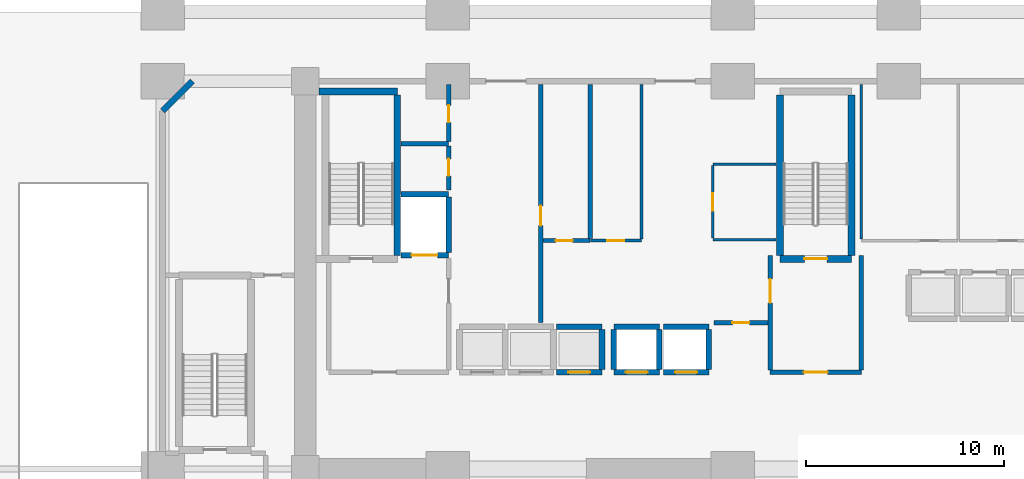
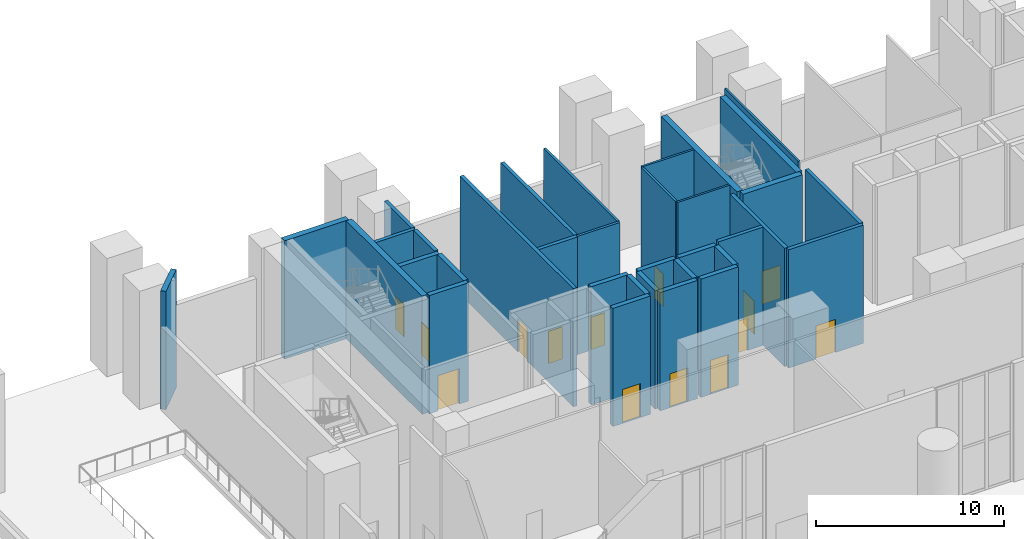
# One storey, part 11 of 17: 35 walls, 14 doors, 14 openings.
"""IFC4 building model written with IfcOpenShell, lengths in metres."""

from ifc_helpers import new_model, si_unit, direction, frame, frame_2d, origin, place, context, subcontext, project, spatial, rectangle, extrude, material, layer, layer_set, type_object, element, fill, save


model = new_model("IFC4")

# Units and contexts
model_context = context("Model", 3, precision=1e-05, world=origin(), true_north=direction((0.0, 1.0)))
body_context = subcontext(model_context, "Body", "Model", "MODEL_VIEW")
ifc_project = project(units=[si_unit("LENGTHUNIT", "METRE"), si_unit("AREAUNIT", "SQUARE_METRE"), si_unit("VOLUMEUNIT", "CUBIC_METRE"), si_unit("PLANEANGLEUNIT", "RADIAN"), si_unit("MASSUNIT", "GRAM", prefix="KILO")], contexts=[model_context])

# Site, building, storey
site_placement = place(None, origin())
site = spatial("IfcSite", under=ifc_project, at=site_placement, CompositionType="ELEMENT")
building_placement = place(site_placement, origin())
building = spatial("IfcBuilding", under=site, at=building_placement, Name="Kaelvorn Grand Hotel", CompositionType="ELEMENT")
storey_placement = place(building_placement, origin())
storey = spatial("IfcBuildingStorey", under=building, at=storey_placement, Name="L00", CompositionType="ELEMENT", Elevation=0.0)

# Walls
ifc_material_1 = material(Name="Concrete C40/50", Category="concrete")
ifc_layer_1 = layer(ifc_material_1, 0.300048828125)
ifc_layer_set_1 = layer_set([ifc_layer_1], Name="Concrete C40/50")
wall_type_1 = type_object("IfcWallType", Name="WL-EXT-300-C40", PredefinedType="SOLIDWALL", material=ifc_layer_set_1)
wall_1_placement = place(storey_placement, frame((10.5, 49.0, 0.0), z_axis=(0.0, 0.0, 1.0), x_axis=(-0.707106781187, -0.707106781187, 0.0)))
element("IfcWall", 1, at=wall_1_placement, inside=storey, type_object=wall_type_1, Name="L00 Ground Arrival Hall Exterior Wall 06", PredefinedType="SOLIDWALL", context=body_context, shape_type="SweptSolid", body=[
    extrude(rectangle(XDim=2.121337890625, YDim=0.300048828125, at=frame_2d((1.060546875, 0.0))), origin(), (0.0, 0.0, 1.0), 7.679931640625),
])
ifc_material_2 = material(Name="Moisture-Resistant Tile & Stud Board")
ifc_layer_2 = layer(ifc_material_2, 0.125)
ifc_layer_set_2 = layer_set([ifc_layer_2], Name="Moisture-Resistant Tile & Stud Board")
wall_type_2 = type_object("IfcWallType", Name="WL-PART-125-WET", PredefinedType="PARTITIONING", material=ifc_layer_set_2)
for number, where, z_axis, x_axis, name in (
    (2, (36.800048828125, 41.0, 0.0), (0.0, 0.0, 1.0), (1.0, 0.0, 0.0), "L00 Accessible WC S Partition"),
    (3, (36.800048828125, 44.800048828125, 0.0), (0.0, 0.0, 1.0), (1.0, 0.0, 0.0), "L00 Accessible WC N Partition"),
):
    element("IfcWall", number, at=place(storey_placement, frame(where, z_axis=z_axis, x_axis=x_axis)), inside=storey, type_object=wall_type_2, Name=name, PredefinedType="PARTITIONING", context=body_context, shape_type="SweptSolid", body=[
        extrude(rectangle(XDim=3.199951171875, YDim=0.125, at=frame_2d((1.60009765625, 0.0))), origin(), (0.0, 0.0, 1.0), 7.679931640625),
    ])

# Wall, opening, door
wall_2_placement = place(storey_placement, frame((36.800048828125, 41.0673828125, 0.0), z_axis=(0.0, 0.0, 1.0), x_axis=(0.0, 1.0, 0.0)))
wall_2 = element("IfcWall", 4, at=wall_2_placement, inside=storey, type_object=wall_type_2, Name="L00 Accessible WC W Partition", PredefinedType="PARTITIONING", context=body_context, shape_type="SweptSolid", body=[
    extrude(rectangle(XDim=3.6650390625, YDim=0.125, at=frame_2d((1.83251953125, 0.0))), origin(), (0.0, 0.0, 1.0), 7.679931640625),
])
opening_1_placement = place(wall_2_placement, frame((1.382568359375, 0.0, 0.0)))
opening_1 = element("IfcOpeningElement", 5, at=opening_1_placement, cuts=wall_2, Name="Opening DI4", PredefinedType="OPENING", context=body_context, shape_type="SweptSolid", body=[
    extrude(rectangle(XDim=0.89990234375, YDim=2.10009765625, at=frame_2d((0.449951171875, 1.050048828125))), frame((0.0, 0.072509765625, 0.0), z_axis=(0.0, -1.0, 0.0), x_axis=(1.0, 0.0, 0.0)), (0.0, 0.0, 1.0), 0.14501953125),
])
ifc_material_3 = material(Name="Timber Veneer Leaf", Category="wood")
door_type_1 = type_object("IfcDoorType", Name="DR-INT-BATH-900x2100", OperationType="NOTDEFINED", PredefinedType="DOOR", material=ifc_material_3)
door_1_placement = place(opening_1_placement, origin())
door_1 = element("IfcDoor", 6, at=door_1_placement, inside=storey, type_object=door_type_1, Name="L00 Accessible WC Door", OperationType="SINGLE_SWING_RIGHT", OverallHeight=2.10009765625, OverallWidth=0.89990234375, PredefinedType="DOOR", context=body_context, shape_type="SweptSolid", body=[
    extrude(rectangle(XDim=0.89990234375, YDim=2.10009765625, at=frame_2d((0.449951171875, 1.050048828125))), frame((0.0, 0.02490234375, 0.0), z_axis=(0.0, -1.0, 0.0), x_axis=(1.0, 0.0, 0.0)), (0.0, 0.0, 1.0), 0.050048828125),
])
fill(opening_1, door_1)

# Wall
wall_3_placement = place(storey_placement, frame((44.300048828125, 41.017578125, 0.0), z_axis=(0.0, 0.0, 1.0), x_axis=(0.0, 1.0, 0.0)))
element("IfcWall", 7, at=wall_3_placement, inside=storey, type_object=wall_type_2, Name="L00 Male Toilets W Partition", PredefinedType="PARTITIONING", context=body_context, shape_type="SweptSolid", body=[
    extrude(rectangle(XDim=7.827392578125, YDim=0.125, at=frame_2d((3.91357421875, 0.0))), origin(), (0.0, 0.0, 1.0), 7.679931640625),
])

# Wall, opening, door
ifc_material_4 = material(Name="Acoustic Gypsum & Stud Partition")
ifc_layer_3 = layer(ifc_material_4, 0.14990234375)
ifc_layer_set_3 = layer_set([ifc_layer_3], Name="Acoustic Gypsum & Stud Partition")
wall_type_3 = type_object("IfcWallType", Name="WL-PART-150-EI60", PredefinedType="PARTITIONING", material=ifc_layer_set_3)
wall_4_placement = place(storey_placement, frame((30.610107421875, 40.949951171875, 0.0), z_axis=(0.0, 0.0, 1.0), x_axis=(1.0, 0.0, 0.0)))
wall_4 = element("IfcWall", 8, at=wall_4_placement, inside=storey, type_object=wall_type_3, Name="L00 Central BOH Supply Store S Partition", PredefinedType="PARTITIONING", context=body_context, shape_type="SweptSolid", body=[
    extrude(rectangle(XDim=2.58984375, YDim=0.14990234375, at=frame_2d((1.294921875, 0.0))), origin(), (0.0, 0.0, 1.0), 7.679931640625),
])
opening_2_placement = place(wall_4_placement, frame((0.864990234375, 0.0, 0.0)))
opening_2 = element("IfcOpeningElement", 9, at=opening_2_placement, cuts=wall_4, Name="Opening DI7", PredefinedType="OPENING", context=body_context, shape_type="SweptSolid", body=[
    extrude(rectangle(XDim=0.85009765625, YDim=2.10009765625, at=frame_2d((0.425048828125, 1.050048828125))), frame((0.0, 0.0849609375, 0.0), z_axis=(0.0, -1.0, 0.0), x_axis=(1.0, 0.0, 0.0)), (0.0, 0.0, 1.0), 0.169921875),
])
ifc_material_5 = material(Name="Powder-Coated Steel Leaf", Category="steel")
door_type_2 = type_object("IfcDoorType", Name="DR-INT-RISER-850x2100", OperationType="NOTDEFINED", PredefinedType="DOOR", material=ifc_material_5)
door_2_placement = place(opening_2_placement, origin())
door_2 = element("IfcDoor", 10, at=door_2_placement, inside=storey, type_object=door_type_2, Name="L00 Central BOH Supply Store Door", OperationType="SINGLE_SWING_LEFT", OverallHeight=2.10009765625, OverallWidth=0.85009765625, PredefinedType="DOOR", context=body_context, shape_type="SweptSolid", body=[
    extrude(rectangle(XDim=0.85009765625, YDim=2.10009765625, at=frame_2d((0.425048828125, 1.050048828125))), frame((0.0, 0.02490234375, 0.0), z_axis=(0.0, -1.0, 0.0), x_axis=(1.0, 0.0, 0.0)), (0.0, 0.0, 1.0), 0.050048828125),
])
fill(opening_2, door_2)

# Wall
wall_5_placement = place(storey_placement, frame((33.199951171875, 41.030029296875, 0.0), z_axis=(0.0, 0.0, 1.0), x_axis=(0.0, 1.0, 0.0)))
element("IfcWall", 11, at=wall_5_placement, inside=storey, type_object=wall_type_3, Name="L00 Central BOH Supply Store E Partition", PredefinedType="PARTITIONING", context=body_context, shape_type="SweptSolid", body=[
    extrude(rectangle(XDim=7.81494140625, YDim=0.14990234375, at=frame_2d((3.907470703125, 0.0))), origin(), (0.0, 0.0, 1.0), 7.679931640625),
])

# Wall, opening, door
ifc_layer_4 = layer(ifc_material_1, 0.219970703125)
ifc_layer_set_4 = layer_set([ifc_layer_4], Name="Concrete C40/50")
wall_type_4 = type_object("IfcWallType", Name="WL-PART-220-EI120", PredefinedType="PARTITIONING", material=ifc_layer_set_4)
wall_6_placement = place(storey_placement, frame((39.699951171875, 34.300048828125, 0.0), z_axis=(0.0, 0.0, 1.0), x_axis=(1.0, 0.0, 0.0)))
wall_6 = element("IfcWall", 12, at=wall_6_placement, inside=storey, type_object=wall_type_4, Name="L00 Central Stair Escape Vestibule S Partition", PredefinedType="PARTITIONING", context=body_context, shape_type="SweptSolid", body=[
    extrude(rectangle(XDim=4.60009765625, YDim=0.219970703125, at=frame_2d((2.300048828125, 0.0))), origin(), (0.0, 0.0, 1.0), 7.679931640625),
])
opening_3_placement = place(wall_6_placement, frame((1.699951171875, 0.0, 0.0)))
opening_3 = element("IfcOpeningElement", 13, at=opening_3_placement, cuts=wall_6, Name="Opening DI2", PredefinedType="OPENING", context=body_context, shape_type="SweptSolid", body=[
    extrude(rectangle(XDim=1.199951171875, YDim=2.14990234375, at=frame_2d((0.60009765625, 1.074951171875))), frame((0.0, 0.1201171875, 0.0), z_axis=(0.0, -1.0, 0.0), x_axis=(1.0, 0.0, 0.0)), (0.0, 0.0, 1.0), 0.239990234375),
])
ifc_material_6 = material(Name="Timber Veneer Fire Leaf", Category="wood")
door_type_3 = type_object("IfcDoorType", Name="DR-INT-FFLOB-1200x2150", OperationType="NOTDEFINED", PredefinedType="DOOR", material=ifc_material_6)
door_3_placement = place(opening_3_placement, origin())
door_3 = element("IfcDoor", 14, at=door_3_placement, inside=storey, type_object=door_type_3, Name="L00 Central Stair Escape Vestibule Door", OperationType="SINGLE_SWING_LEFT", OverallHeight=2.14990234375, OverallWidth=1.199951171875, PredefinedType="DOOR", context=body_context, shape_type="SweptSolid", body=[
    extrude(rectangle(XDim=1.199951171875, YDim=2.14990234375, at=frame_2d((0.60009765625, 1.074951171875))), frame((0.0, 0.02490234375, 0.0), z_axis=(0.0, -1.0, 0.0), x_axis=(1.0, 0.0, 0.0)), (0.0, 0.0, 1.0), 0.050048828125),
])
fill(opening_3, door_3)

wall_7_placement = place(storey_placement, frame((39.699951171875, 34.4150390625, 0.0), z_axis=(0.0, 0.0, 1.0), x_axis=(0.0, 1.0, 0.0)))
wall_7 = element("IfcWall", 15, at=wall_7_placement, inside=storey, type_object=wall_type_4, Name="L00 Central Stair Escape Vestibule W Partition", PredefinedType="PARTITIONING", context=body_context, shape_type="SweptSolid", body=[
    extrude(rectangle(XDim=5.784912109375, YDim=0.219970703125, at=frame_2d((2.892578125, 0.0))), origin(), (0.0, 0.0, 1.0), 7.679931640625),
])
opening_4_placement = place(wall_7_placement, frame((3.385009765625, 0.0, 0.0)))
opening_4 = element("IfcOpeningElement", 16, at=opening_4_placement, cuts=wall_7, Name="Opening DI2", PredefinedType="OPENING", context=body_context, shape_type="SweptSolid", body=[
    extrude(rectangle(XDim=1.199951171875, YDim=2.14990234375, at=frame_2d((0.60009765625, 1.074951171875))), frame((0.0, 0.1201171875, 0.0), z_axis=(0.0, -1.0, 0.0), x_axis=(1.0, 0.0, 0.0)), (0.0, 0.0, 1.0), 0.239990234375),
])
door_4_placement = place(opening_4_placement, origin())
door_4 = element("IfcDoor", 17, at=door_4_placement, inside=storey, type_object=door_type_3, Name="L00 Central Stair ST2 Protected Exit Passage Door", OperationType="SINGLE_SWING_LEFT", OverallHeight=2.14990234375, OverallWidth=1.199951171875, PredefinedType="DOOR", context=body_context, shape_type="SweptSolid", body=[
    extrude(rectangle(XDim=1.199951171875, YDim=2.14990234375, at=frame_2d((0.60009765625, 1.074951171875))), frame((0.0, 0.02490234375, 0.0), z_axis=(0.0, -1.0, 0.0), x_axis=(1.0, 0.0, 0.0)), (0.0, 0.0, 1.0), 0.050048828125),
])
fill(opening_4, door_4)

# Walls
wall_8_placement = place(storey_placement, frame((44.300048828125, 34.4150390625, 0.0), z_axis=(0.0, 0.0, 1.0), x_axis=(0.0, 1.0, 0.0)))
element("IfcWall", 18, at=wall_8_placement, inside=storey, type_object=wall_type_4, Name="L00 Central Stair Escape Vestibule E Partition", PredefinedType="PARTITIONING", context=body_context, shape_type="SweptSolid", body=[
    extrude(rectangle(XDim=5.784912109375, YDim=0.219970703125, at=frame_2d((2.892578125, 0.0))), origin(), (0.0, 0.0, 1.0), 7.679931640625),
])
wall_9_placement = place(storey_placement, frame((21.034912109375, 45.85009765625, 0.0), z_axis=(0.0, 0.0, 1.0), x_axis=(1.0, 0.0, 0.0)))
element("IfcWall", 19, at=wall_9_placement, inside=storey, type_object=wall_type_4, Name="L00 Wet Fire & Plumbing Riser Shaft N Partition", PredefinedType="PARTITIONING", context=body_context, shape_type="SweptSolid", body=[
    extrude(rectangle(XDim=2.4150390625, YDim=0.219970703125, at=frame_2d((1.20751953125, 0.0))), origin(), (0.0, 0.0, 1.0), 7.679931640625),
])

# Wall, opening, door
wall_10_placement = place(storey_placement, frame((23.449951171875, 43.5, 0.0), z_axis=(0.0, 0.0, 1.0), x_axis=(0.0, 1.0, 0.0)))
wall_10 = element("IfcWall", 20, at=wall_10_placement, inside=storey, type_object=wall_type_4, Name="L00 Wet Fire & Plumbing Riser Shaft E Partition", PredefinedType="PARTITIONING", context=body_context, shape_type="SweptSolid", body=[
    extrude(rectangle(XDim=2.235107421875, YDim=0.219970703125, at=frame_2d((1.11767578125, 0.0))), origin(), (0.0, 0.0, 1.0), 7.679931640625),
])
opening_5_placement = place(wall_10_placement, frame((0.72509765625, 0.0, 0.0)))
opening_5 = element("IfcOpeningElement", 21, at=opening_5_placement, cuts=wall_10, Name="Opening DI7", PredefinedType="OPENING", context=body_context, shape_type="SweptSolid", body=[
    extrude(rectangle(XDim=0.85009765625, YDim=2.10009765625, at=frame_2d((0.425048828125, 1.050048828125))), frame((0.0, 0.1201171875, 0.0), z_axis=(0.0, -1.0, 0.0), x_axis=(1.0, 0.0, 0.0)), (0.0, 0.0, 1.0), 0.239990234375),
])
door_5_placement = place(opening_5_placement, origin())
door_5 = element("IfcDoor", 22, at=door_5_placement, inside=storey, type_object=door_type_2, Name="L00 Wet Fire & Plumbing Riser Shaft Door", OperationType="SINGLE_SWING_LEFT", OverallHeight=2.10009765625, OverallWidth=0.85009765625, PredefinedType="DOOR", context=body_context, shape_type="SweptSolid", body=[
    extrude(rectangle(XDim=0.85009765625, YDim=2.10009765625, at=frame_2d((0.425048828125, 1.050048828125))), frame((0.0, 0.02490234375, 0.0), z_axis=(0.0, -1.0, 0.0), x_axis=(1.0, 0.0, 0.0)), (0.0, 0.0, 1.0), 0.050048828125),
])
fill(opening_5, door_5)

wall_11_placement = place(storey_placement, frame((23.449951171875, 45.965087890625, 0.0), z_axis=(0.0, 0.0, 1.0), x_axis=(0.0, 1.0, 0.0)))
wall_11 = element("IfcWall", 23, at=wall_11_placement, inside=storey, type_object=wall_type_4, Name="L00 HV Electrical & Smoke Riser E Partition", PredefinedType="PARTITIONING", context=body_context, shape_type="SweptSolid", body=[
    extrude(rectangle(XDim=2.8798828125, YDim=0.219970703125, at=frame_2d((1.43994140625, 0.0))), origin(), (0.0, 0.0, 1.0), 7.679931640625),
])
opening_6_placement = place(wall_11_placement, frame((0.9599609375, 0.0, 0.0)))
opening_6 = element("IfcOpeningElement", 24, at=opening_6_placement, cuts=wall_11, Name="Opening DI7", PredefinedType="OPENING", context=body_context, shape_type="SweptSolid", body=[
    extrude(rectangle(XDim=0.85009765625, YDim=2.10009765625, at=frame_2d((0.425048828125, 1.050048828125))), frame((0.0, 0.1201171875, 0.0), z_axis=(0.0, -1.0, 0.0), x_axis=(1.0, 0.0, 0.0)), (0.0, 0.0, 1.0), 0.239990234375),
])
door_6_placement = place(opening_6_placement, origin())
door_6 = element("IfcDoor", 25, at=door_6_placement, inside=storey, type_object=door_type_2, Name="L00 HV Electrical & Smoke Riser Door", OperationType="SINGLE_SWING_RIGHT", OverallHeight=2.10009765625, OverallWidth=0.85009765625, PredefinedType="DOOR", context=body_context, shape_type="SweptSolid", body=[
    extrude(rectangle(XDim=0.85009765625, YDim=2.10009765625, at=frame_2d((0.425048828125, 1.050048828125))), frame((0.0, 0.02490234375, 0.0), z_axis=(0.0, -1.0, 0.0), x_axis=(1.0, 0.0, 0.0)), (0.0, 0.0, 1.0), 0.050048828125),
])
fill(opening_6, door_6)

wall_12_placement = place(storey_placement, frame((28.10009765625, 36.800048828125, 0.0), z_axis=(0.0, 0.0, 1.0), x_axis=(0.0, 1.0, 0.0)))
wall_12 = element("IfcWall", 26, at=wall_12_placement, inside=storey, type_object=wall_type_4, Name="L00 West Protected Exit Stair ST1 Discharge Passageway E Partition", PredefinedType="PARTITIONING", context=body_context, shape_type="SweptSolid", body=[
    extrude(rectangle(XDim=12.044921875, YDim=0.219970703125, at=frame_2d((6.0224609375, 0.0))), origin(), (0.0, 0.0, 1.0), 7.679931640625),
])
opening_7_placement = place(wall_12_placement, frame((4.89990234375, 0.0, 0.0)))
opening_7 = element("IfcOpeningElement", 27, at=opening_7_placement, cuts=wall_12, Name="Opening DI3", PredefinedType="OPENING", context=body_context, shape_type="SweptSolid", body=[
    extrude(rectangle(XDim=1.0, YDim=2.14990234375, at=frame_2d((0.5, 1.074951171875))), frame((0.0, 0.1201171875, 0.0), z_axis=(0.0, -1.0, 0.0), x_axis=(1.0, 0.0, 0.0)), (0.0, 0.0, 1.0), 0.239990234375),
])
door_type_4 = type_object("IfcDoorType", Name="DR-INT-GUEST-1000x2150", OperationType="NOTDEFINED", PredefinedType="DOOR", material=ifc_material_6)
door_7_placement = place(opening_7_placement, origin())
door_7 = element("IfcDoor", 28, at=door_7_placement, inside=storey, type_object=door_type_4, Name="L00 West Protected Exit Stair ST1 Discharge Passageway Door", OperationType="SINGLE_SWING_LEFT", OverallHeight=2.14990234375, OverallWidth=1.0, PredefinedType="DOOR", context=body_context, shape_type="SweptSolid", body=[
    extrude(rectangle(XDim=1.0, YDim=2.14990234375, at=frame_2d((0.5, 1.074951171875))), frame((0.0, 0.02490234375, 0.0), z_axis=(0.0, -1.0, 0.0), x_axis=(1.0, 0.0, 0.0)), (0.0, 0.0, 1.0), 0.050048828125),
])
fill(opening_7, door_7)

wall_13_placement = place(storey_placement, frame((28.215087890625, 40.949951171875, 0.0), z_axis=(0.0, 0.0, 1.0), x_axis=(1.0, 0.0, 0.0)))
wall_13 = element("IfcWall", 29, at=wall_13_placement, inside=storey, type_object=wall_type_4, Name="L00 Electrical Distribution Room S Partition", PredefinedType="PARTITIONING", context=body_context, shape_type="SweptSolid", body=[
    extrude(rectangle(XDim=2.385009765625, YDim=0.219970703125, at=frame_2d((1.1923828125, 0.0))), origin(), (0.0, 0.0, 1.0), 7.679931640625),
])
opening_8_placement = place(wall_13_placement, frame((0.64990234375, 0.0, 0.0)))
opening_8 = element("IfcOpeningElement", 30, at=opening_8_placement, cuts=wall_13, Name="Opening DI7", PredefinedType="OPENING", context=body_context, shape_type="SweptSolid", body=[
    extrude(rectangle(XDim=0.85009765625, YDim=2.10009765625, at=frame_2d((0.425048828125, 1.050048828125))), frame((0.0, 0.1201171875, 0.0), z_axis=(0.0, -1.0, 0.0), x_axis=(1.0, 0.0, 0.0)), (0.0, 0.0, 1.0), 0.239990234375),
])
door_8_placement = place(opening_8_placement, origin())
door_8 = element("IfcDoor", 31, at=door_8_placement, inside=storey, type_object=door_type_2, Name="L00 Electrical Distribution Room Door", OperationType="SINGLE_SWING_RIGHT", OverallHeight=2.10009765625, OverallWidth=0.85009765625, PredefinedType="DOOR", context=body_context, shape_type="SweptSolid", body=[
    extrude(rectangle(XDim=0.85009765625, YDim=2.10009765625, at=frame_2d((0.425048828125, 1.050048828125))), frame((0.0, 0.02490234375, 0.0), z_axis=(0.0, -1.0, 0.0), x_axis=(1.0, 0.0, 0.0)), (0.0, 0.0, 1.0), 0.050048828125),
])
fill(opening_8, door_8)

# Wall
wall_14_placement = place(storey_placement, frame((30.60009765625, 41.06494140625, 0.0), z_axis=(0.0, 0.0, 1.0), x_axis=(0.0, 1.0, 0.0)))
element("IfcWall", 32, at=wall_14_placement, inside=storey, type_object=wall_type_4, Name="L00 Electrical Distribution Room E Partition", PredefinedType="PARTITIONING", context=body_context, shape_type="SweptSolid", body=[
    extrude(rectangle(XDim=7.780029296875, YDim=0.219970703125, at=frame_2d((3.89013671875, 0.0))), origin(), (0.0, 0.0, 1.0), 7.679931640625),
])

# Wall, opening, door
wall_15_placement = place(storey_placement, frame((36.85009765625, 36.800048828125, 0.0), z_axis=(0.0, 0.0, 1.0), x_axis=(1.0, 0.0, 0.0)))
wall_15 = element("IfcWall", 33, at=wall_15_placement, inside=storey, type_object=wall_type_4, Name="L00 Central Protected Exit Passageway South Partition", PredefinedType="PARTITIONING", context=body_context, shape_type="SweptSolid", body=[
    extrude(rectangle(XDim=2.73486328125, YDim=0.219970703125, at=frame_2d((1.367431640625, 0.0))), origin(), (0.0, 0.0, 1.0), 7.679931640625),
])
opening_9_placement = place(wall_15_placement, frame((0.9423828125, 0.0, 0.0)))
opening_9 = element("IfcOpeningElement", 34, at=opening_9_placement, cuts=wall_15, Name="Opening DI7", PredefinedType="OPENING", context=body_context, shape_type="SweptSolid", body=[
    extrude(rectangle(XDim=0.85009765625, YDim=2.10009765625, at=frame_2d((0.425048828125, 1.050048828125))), frame((0.0, 0.1201171875, 0.0), z_axis=(0.0, -1.0, 0.0), x_axis=(1.0, 0.0, 0.0)), (0.0, 0.0, 1.0), 0.239990234375),
])
door_9_placement = place(opening_9_placement, origin())
door_9 = element("IfcDoor", 35, at=door_9_placement, inside=storey, type_object=door_type_2, Name="L00 Central Protected Exit Passageway Service Link Door", OperationType="SINGLE_SWING_LEFT", OverallHeight=2.10009765625, OverallWidth=0.85009765625, PredefinedType="DOOR", context=body_context, shape_type="SweptSolid", body=[
    extrude(rectangle(XDim=0.85009765625, YDim=2.10009765625, at=frame_2d((0.425048828125, 1.050048828125))), frame((0.0, 0.02490234375, 0.0), z_axis=(0.0, -1.0, 0.0), x_axis=(1.0, 0.0, 0.0)), (0.0, 0.0, 1.0), 0.050048828125),
])
fill(opening_9, door_9)

ifc_material_7 = material(Name="Concrete C50/60", Category="concrete")
ifc_layer_5 = layer(ifc_material_7, 0.280029296875)
ifc_layer_set_5 = layer_set([ifc_layer_5], Name="Concrete C50/60")
wall_type_5 = type_object("IfcWallType", Name="WL-SHAFT-280-C50", PredefinedType="SHEAR", material=ifc_layer_set_5)
wall_16_placement = place(storey_placement, frame((28.89990234375, 34.300048828125, 0.0), z_axis=(0.0, 0.0, 1.0), x_axis=(1.0, 0.0, 0.0)))
wall_16 = element("IfcWall", 36, at=wall_16_placement, inside=storey, type_object=wall_type_5, Name="L00 Lift PL-L3 Shaft South Wall", PredefinedType="SHEAR", context=body_context, shape_type="SweptSolid", body=[
    extrude(rectangle(XDim=2.300048828125, YDim=0.280029296875, at=frame_2d((1.14990234375, 0.0))), origin(), (0.0, 0.0, 1.0), 7.679931640625),
])
opening_10_placement = place(wall_16_placement, frame((0.60009765625, 0.0, 0.0)))
opening_10 = element("IfcOpeningElement", 37, at=opening_10_placement, cuts=wall_16, Name="Opening LD-PL-L3", PredefinedType="OPENING", context=body_context, shape_type="SweptSolid", body=[
    extrude(rectangle(XDim=1.10009765625, YDim=2.199951171875, at=frame_2d((0.550048828125, 1.10009765625))), frame((0.0, 0.14990234375, 0.0), z_axis=(0.0, -1.0, 0.0), x_axis=(1.0, 0.0, 0.0)), (0.0, 0.0, 1.0), 0.300048828125),
])
ifc_material_8 = material(Name="Stainless Steel", Category="steel")
door_type_5 = type_object("IfcDoorType", Name="DR-LIFT-PASS-1100x2200", OperationType="DOUBLE_DOOR_SLIDING", PredefinedType="DOOR", material=ifc_material_8)
door_10_placement = place(opening_10_placement, origin())
door_10 = element("IfcDoor", 38, at=door_10_placement, inside=storey, type_object=door_type_5, Name="L00 Lift PL-L3 Sliding Landing Door LD-PL-L3", OperationType="DOUBLE_DOOR_SLIDING", OverallHeight=2.199951171875, OverallWidth=1.10009765625, PredefinedType="DOOR", context=body_context, shape_type="SweptSolid", body=[
    extrude(rectangle(XDim=1.10009765625, YDim=2.199951171875, at=frame_2d((0.550048828125, 1.10009765625))), frame((0.0, 0.02490234375, 0.0), z_axis=(0.0, -1.0, 0.0), x_axis=(1.0, 0.0, 0.0)), (0.0, 0.0, 1.0), 0.050048828125),
])
fill(opening_10, door_10)

# Walls
wall_17_placement = place(storey_placement, frame((28.89990234375, 36.60009765625, 0.0), z_axis=(0.0, 0.0, 1.0), x_axis=(1.0, 0.0, 0.0)))
element("IfcWall", 39, at=wall_17_placement, inside=storey, type_object=wall_type_5, Name="L00 Lift PL-L3 Shaft North Wall", PredefinedType="SHEAR", context=body_context, shape_type="SweptSolid", body=[
    extrude(rectangle(XDim=2.300048828125, YDim=0.280029296875, at=frame_2d((1.14990234375, 0.0))), origin(), (0.0, 0.0, 1.0), 7.679931640625),
])
wall_18_placement = place(storey_placement, frame((31.199951171875, 34.445068359375, 0.0), z_axis=(0.0, 0.0, 1.0), x_axis=(0.0, 1.0, 0.0)))
element("IfcWall", 40, at=wall_18_placement, inside=storey, type_object=wall_type_5, Name="L00 Lift PL-L3 Shaft East Wall", PredefinedType="SHEAR", context=body_context, shape_type="SweptSolid", body=[
    extrude(rectangle(XDim=2.010009765625, YDim=0.280029296875, at=frame_2d((1.0048828125, 0.0))), origin(), (0.0, 0.0, 1.0), 7.679931640625),
])

# Wall, opening, door
wall_19_placement = place(storey_placement, frame((31.800048828125, 34.300048828125, 0.0), z_axis=(0.0, 0.0, 1.0), x_axis=(1.0, 0.0, 0.0)))
wall_19 = element("IfcWall", 41, at=wall_19_placement, inside=storey, type_object=wall_type_5, Name="L00 Lift PK-1 Shaft South Wall", PredefinedType="SHEAR", context=body_context, shape_type="SweptSolid", body=[
    extrude(rectangle(XDim=2.300048828125, YDim=0.280029296875, at=frame_2d((1.14990234375, 0.0))), origin(), (0.0, 0.0, 1.0), 7.679931640625),
])
opening_11_placement = place(wall_19_placement, frame((0.60009765625, 0.0, 0.0)))
opening_11 = element("IfcOpeningElement", 42, at=opening_11_placement, cuts=wall_19, Name="Opening LD-PK-1", PredefinedType="OPENING", context=body_context, shape_type="SweptSolid", body=[
    extrude(rectangle(XDim=1.10009765625, YDim=2.199951171875, at=frame_2d((0.550048828125, 1.10009765625))), frame((0.0, 0.14990234375, 0.0), z_axis=(0.0, -1.0, 0.0), x_axis=(1.0, 0.0, 0.0)), (0.0, 0.0, 1.0), 0.300048828125),
])
door_11_placement = place(opening_11_placement, origin())
door_11 = element("IfcDoor", 43, at=door_11_placement, inside=storey, type_object=door_type_5, Name="L00 Lift PK-1 Sliding Landing Door LD-PK-1", OperationType="DOUBLE_DOOR_SLIDING", OverallHeight=2.199951171875, OverallWidth=1.10009765625, PredefinedType="DOOR", context=body_context, shape_type="SweptSolid", body=[
    extrude(rectangle(XDim=1.10009765625, YDim=2.199951171875, at=frame_2d((0.550048828125, 1.10009765625))), frame((0.0, 0.02490234375, 0.0), z_axis=(0.0, -1.0, 0.0), x_axis=(1.0, 0.0, 0.0)), (0.0, 0.0, 1.0), 0.050048828125),
])
fill(opening_11, door_11)

# Walls
wall_20_placement = place(storey_placement, frame((31.800048828125, 36.60009765625, 0.0), z_axis=(0.0, 0.0, 1.0), x_axis=(1.0, 0.0, 0.0)))
element("IfcWall", 44, at=wall_20_placement, inside=storey, type_object=wall_type_5, Name="L00 Lift PK-1 Shaft North Wall", PredefinedType="SHEAR", context=body_context, shape_type="SweptSolid", body=[
    extrude(rectangle(XDim=2.300048828125, YDim=0.280029296875, at=frame_2d((1.14990234375, 0.0))), origin(), (0.0, 0.0, 1.0), 7.679931640625),
])
for number, where, z_axis, x_axis, name in (
    (45, (31.800048828125, 34.445068359375, 0.0), (0.0, 0.0, 1.0), (0.0, 1.0, 0.0), "L00 Lift PK-1 Shaft West Wall"),
    (46, (34.10009765625, 34.445068359375, 0.0), (0.0, 0.0, 1.0), (0.0, 1.0, 0.0), "L00 Lift PK-1 Shaft East Wall"),
):
    element("IfcWall", number, at=place(storey_placement, frame(where, z_axis=z_axis, x_axis=x_axis)), inside=storey, type_object=wall_type_5, Name=name, PredefinedType="SHEAR", context=body_context, shape_type="SweptSolid", body=[
        extrude(rectangle(XDim=2.010009765625, YDim=0.280029296875, at=frame_2d((1.0048828125, 0.0))), origin(), (0.0, 0.0, 1.0), 7.679931640625),
    ])

# Wall, opening, door
wall_21_placement = place(storey_placement, frame((34.300048828125, 34.300048828125, 0.0), z_axis=(0.0, 0.0, 1.0), x_axis=(1.0, 0.0, 0.0)))
wall_21 = element("IfcWall", 47, at=wall_21_placement, inside=storey, type_object=wall_type_5, Name="L00 Lift PK-2 Shaft South Wall", PredefinedType="SHEAR", context=body_context, shape_type="SweptSolid", body=[
    extrude(rectangle(XDim=2.300048828125, YDim=0.280029296875, at=frame_2d((1.14990234375, 0.0))), origin(), (0.0, 0.0, 1.0), 7.679931640625),
])
opening_12_placement = place(wall_21_placement, frame((0.60009765625, 0.0, 0.0)))
opening_12 = element("IfcOpeningElement", 48, at=opening_12_placement, cuts=wall_21, Name="Opening LD-PK-2", PredefinedType="OPENING", context=body_context, shape_type="SweptSolid", body=[
    extrude(rectangle(XDim=1.10009765625, YDim=2.199951171875, at=frame_2d((0.550048828125, 1.10009765625))), frame((0.0, 0.14990234375, 0.0), z_axis=(0.0, -1.0, 0.0), x_axis=(1.0, 0.0, 0.0)), (0.0, 0.0, 1.0), 0.300048828125),
])
door_12_placement = place(opening_12_placement, origin())
door_12 = element("IfcDoor", 49, at=door_12_placement, inside=storey, type_object=door_type_5, Name="L00 Lift PK-2 Sliding Landing Door LD-PK-2", OperationType="DOUBLE_DOOR_SLIDING", OverallHeight=2.199951171875, OverallWidth=1.10009765625, PredefinedType="DOOR", context=body_context, shape_type="SweptSolid", body=[
    extrude(rectangle(XDim=1.10009765625, YDim=2.199951171875, at=frame_2d((0.550048828125, 1.10009765625))), frame((0.0, 0.02490234375, 0.0), z_axis=(0.0, -1.0, 0.0), x_axis=(1.0, 0.0, 0.0)), (0.0, 0.0, 1.0), 0.050048828125),
])
fill(opening_12, door_12)

# Walls
wall_22_placement = place(storey_placement, frame((34.300048828125, 36.60009765625, 0.0), z_axis=(0.0, 0.0, 1.0), x_axis=(1.0, 0.0, 0.0)))
element("IfcWall", 50, at=wall_22_placement, inside=storey, type_object=wall_type_5, Name="L00 Lift PK-2 Shaft North Wall", PredefinedType="SHEAR", context=body_context, shape_type="SweptSolid", body=[
    extrude(rectangle(XDim=2.300048828125, YDim=0.280029296875, at=frame_2d((1.14990234375, 0.0))), origin(), (0.0, 0.0, 1.0), 7.679931640625),
])
wall_23_placement = place(storey_placement, frame((36.60009765625, 34.445068359375, 0.0), z_axis=(0.0, 0.0, 1.0), x_axis=(0.0, 1.0, 0.0)))
element("IfcWall", 51, at=wall_23_placement, inside=storey, type_object=wall_type_5, Name="L00 Lift PK-2 Shaft East Wall", PredefinedType="SHEAR", context=body_context, shape_type="SweptSolid", body=[
    extrude(rectangle(XDim=2.010009765625, YDim=0.280029296875, at=frame_2d((1.0048828125, 0.0))), origin(), (0.0, 0.0, 1.0), 7.679931640625),
])

# Wall, opening, door
wall_24_placement = place(storey_placement, frame((21.034912109375, 40.199951171875, 0.0), z_axis=(0.0, 0.0, 1.0), x_axis=(1.0, 0.0, 0.0)))
wall_24 = element("IfcWall", 52, at=wall_24_placement, inside=storey, type_object=wall_type_5, Name="L00 Lift FFL1 Shaft South Wall", PredefinedType="SHEAR", context=body_context, shape_type="SweptSolid", body=[
    extrude(rectangle(XDim=2.4150390625, YDim=0.280029296875, at=frame_2d((1.20751953125, 0.0))), origin(), (0.0, 0.0, 1.0), 7.679931640625),
])
opening_13_placement = place(wall_24_placement, frame((0.5400390625, 0.0, 0.0)))
opening_13 = element("IfcOpeningElement", 53, at=opening_13_placement, cuts=wall_24, Name="Opening LD-FFL1", PredefinedType="OPENING", context=body_context, shape_type="SweptSolid", body=[
    extrude(rectangle(XDim=1.300048828125, YDim=2.300048828125, at=frame_2d((0.64990234375, 1.14990234375))), frame((0.0, 0.14990234375, 0.0), z_axis=(0.0, -1.0, 0.0), x_axis=(1.0, 0.0, 0.0)), (0.0, 0.0, 1.0), 0.300048828125),
])
door_type_6 = type_object("IfcDoorType", Name="DR-LIFT-SERV-1300x2300", OperationType="DOUBLE_DOOR_SLIDING", PredefinedType="DOOR", material=ifc_material_8)
door_13_placement = place(opening_13_placement, origin())
door_13 = element("IfcDoor", 54, at=door_13_placement, inside=storey, type_object=door_type_6, Name="L00 Lift FFL1 Sliding Landing Door LD-FFL1", OperationType="DOUBLE_DOOR_SLIDING", OverallHeight=2.300048828125, OverallWidth=1.300048828125, PredefinedType="DOOR", context=body_context, shape_type="SweptSolid", body=[
    extrude(rectangle(XDim=1.300048828125, YDim=2.300048828125, at=frame_2d((0.64990234375, 1.14990234375))), frame((0.0, 0.02490234375, 0.0), z_axis=(0.0, -1.0, 0.0), x_axis=(1.0, 0.0, 0.0)), (0.0, 0.0, 1.0), 0.050048828125),
])
fill(opening_13, door_13)

# Walls
wall_25_placement = place(storey_placement, frame((21.034912109375, 43.300048828125, 0.0), z_axis=(0.0, 0.0, 1.0), x_axis=(1.0, 0.0, 0.0)))
element("IfcWall", 55, at=wall_25_placement, inside=storey, type_object=wall_type_5, Name="L00 Lift FFL1 Shaft North Wall", PredefinedType="SHEAR", context=body_context, shape_type="SweptSolid", body=[
    extrude(rectangle(XDim=2.4150390625, YDim=0.280029296875, at=frame_2d((1.20751953125, 0.0))), origin(), (0.0, 0.0, 1.0), 7.679931640625),
])
wall_26_placement = place(storey_placement, frame((23.449951171875, 40.344970703125, 0.0), z_axis=(0.0, 0.0, 1.0), x_axis=(0.0, 1.0, 0.0)))
element("IfcWall", 56, at=wall_26_placement, inside=storey, type_object=wall_type_5, Name="L00 Lift FFL1 Shaft East Wall", PredefinedType="SHEAR", context=body_context, shape_type="SweptSolid", body=[
    extrude(rectangle(XDim=2.81005859375, YDim=0.280029296875, at=frame_2d((1.405029296875, 0.0))), origin(), (0.0, 0.0, 1.0), 7.679931640625),
])
ifc_material_9 = material(Name="Concrete C60/75", Category="concrete")
ifc_layer_6 = layer(ifc_material_9, 0.35009765625)
ifc_layer_set_6 = layer_set([ifc_layer_6], Name="Concrete C60/75")
wall_type_6 = type_object("IfcWallType", Name="WL-SHAFT-350-C60", PredefinedType="SHEAR", material=ifc_layer_set_6)
wall_27_placement = place(storey_placement, frame((16.905029296875, 48.47509765625, 0.0), z_axis=(0.0, 0.0, 1.0), x_axis=(1.0, 0.0, 0.0)))
element("IfcWall", 57, at=wall_27_placement, inside=storey, type_object=wall_type_6, Name="L00 ST1 Stair Shaft North Wall", PredefinedType="SHEAR", context=body_context, shape_type="SweptSolid", body=[
    extrude(rectangle(XDim=3.949951171875, YDim=0.35009765625, at=frame_2d((1.97509765625, 0.0))), origin(), (0.0, 0.0, 1.0), 7.679931640625),
])
wall_28_placement = place(storey_placement, frame((20.85498046875, 40.205078125, 0.0), z_axis=(0.0, 0.0, 1.0), x_axis=(0.0, 1.0, 0.0)))
element("IfcWall", 58, at=wall_28_placement, inside=storey, type_object=wall_type_6, Name="L00 ST1 Stair Shaft East Wall", PredefinedType="SHEAR", context=body_context, shape_type="SweptSolid", body=[
    extrude(rectangle(XDim=8.08984375, YDim=0.35009765625, at=frame_2d((4.044921875, 0.0))), origin(), (0.0, 0.0, 1.0), 7.679931640625),
])

# Wall, opening, door
wall_29_placement = place(storey_placement, frame((40.18505859375, 40.02490234375, 0.0), z_axis=(0.0, 0.0, 1.0), x_axis=(1.0, 0.0, 0.0)))
wall_29 = element("IfcWall", 59, at=wall_29_placement, inside=storey, type_object=wall_type_6, Name="L00 ST2 Stair Shaft South Wall", PredefinedType="SHEAR", context=body_context, shape_type="SweptSolid", body=[
    extrude(rectangle(XDim=3.6298828125, YDim=0.35009765625, at=frame_2d((1.81494140625, 0.0))), origin(), (0.0, 0.0, 1.0), 7.679931640625),
])
opening_14_placement = place(wall_29_placement, frame((1.239990234375, 0.0, 0.0)))
opening_14 = element("IfcOpeningElement", 60, at=opening_14_placement, cuts=wall_29, Name="Opening DI1", PredefinedType="OPENING", context=body_context, shape_type="SweptSolid", body=[
    extrude(rectangle(XDim=1.14990234375, YDim=2.14990234375, at=frame_2d((0.574951171875, 1.074951171875))), frame((0.0, 0.18505859375, 0.0), z_axis=(0.0, -1.0, 0.0), x_axis=(1.0, 0.0, 0.0)), (0.0, 0.0, 1.0), 0.3701171875),
])
door_type_7 = type_object("IfcDoorType", Name="DR-INT-STAIR-1150x2150", OperationType="NOTDEFINED", PredefinedType="DOOR", material=ifc_material_6)
door_14_placement = place(opening_14_placement, origin())
door_14 = element("IfcDoor", 61, at=door_14_placement, inside=storey, type_object=door_type_7, Name="L00 ST2 Exit Stair Fire Door", OperationType="SINGLE_SWING_RIGHT", OverallHeight=2.14990234375, OverallWidth=1.14990234375, PredefinedType="DOOR", context=body_context, shape_type="SweptSolid", body=[
    extrude(rectangle(XDim=1.14990234375, YDim=2.14990234375, at=frame_2d((0.574951171875, 1.074951171875))), frame((0.0, 0.02490234375, 0.0), z_axis=(0.0, -1.0, 0.0), x_axis=(1.0, 0.0, 0.0)), (0.0, 0.0, 1.0), 0.050048828125),
])
fill(opening_14, door_14)

# Walls
for number, where, z_axis, x_axis, name in (
    (62, (40.18505859375, 40.205078125, 0.0), (0.0, 0.0, 1.0), (0.0, 1.0, 0.0), "L00 ST2 Stair Shaft West Wall"),
    (63, (43.81494140625, 40.205078125, 0.0), (0.0, 0.0, 1.0), (0.0, 1.0, 0.0), "L00 ST2 Stair Shaft East Wall"),
):
    element("IfcWall", number, at=place(storey_placement, frame(where, z_axis=z_axis, x_axis=x_axis)), inside=storey, type_object=wall_type_6, Name=name, PredefinedType="SHEAR", context=body_context, shape_type="SweptSolid", body=[
        extrude(rectangle(XDim=8.08984375, YDim=0.35009765625, at=frame_2d((4.044921875, 0.0))), origin(), (0.0, 0.0, 1.0), 7.679931640625),
    ])

save(model, "model.ifc")
